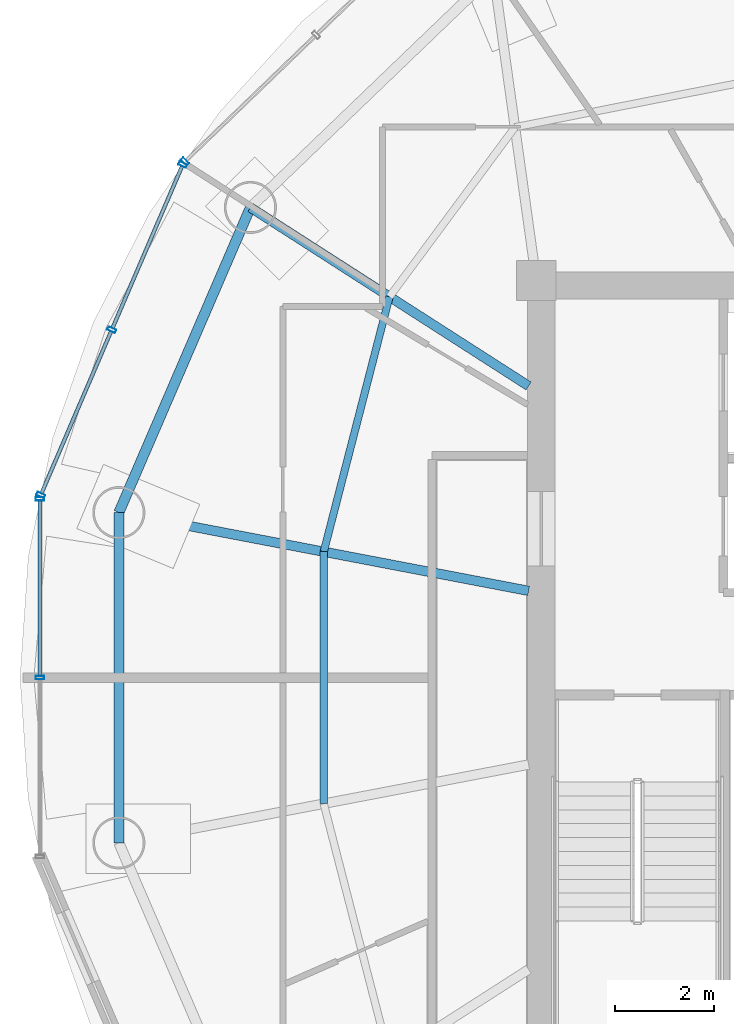
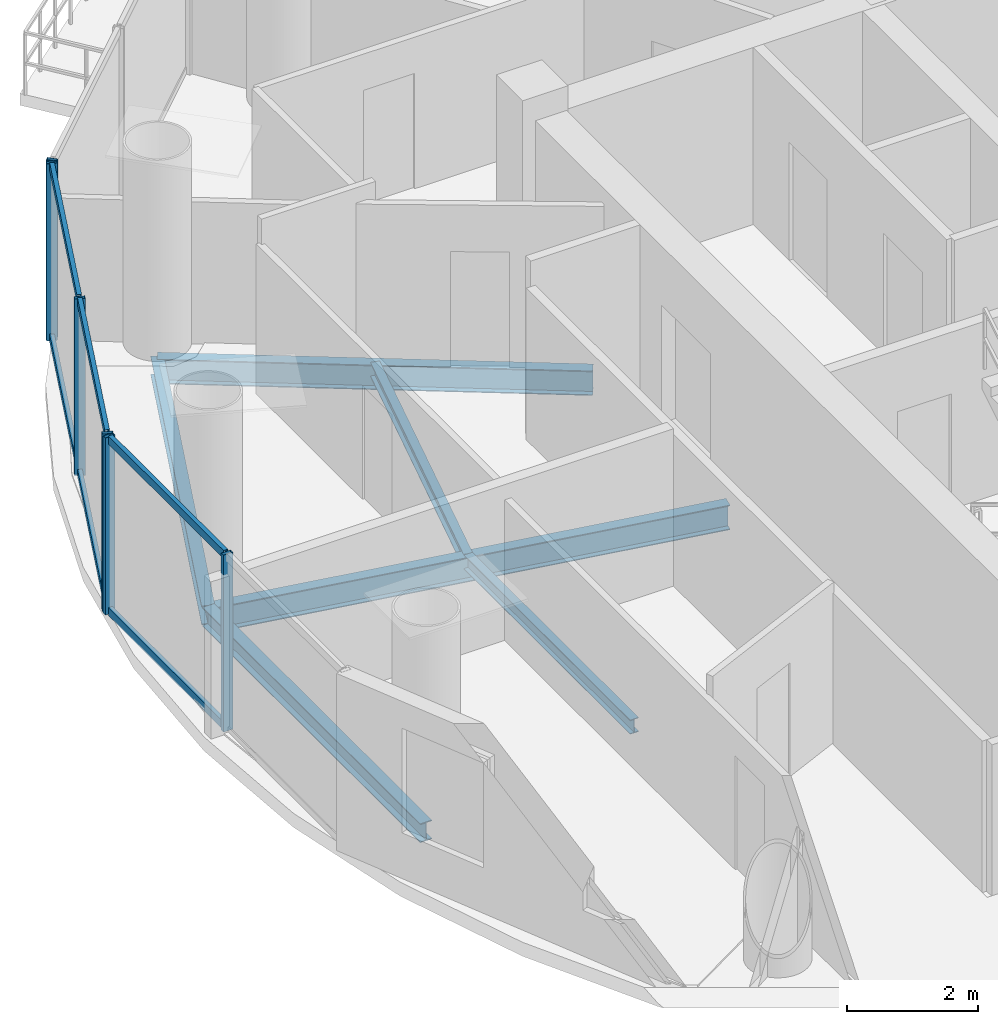
# One storey, part 8 of 23: 12 members, 6 beams, 3 elements without a shape of their own.
"""IFC4 building model written with IfcOpenShell, lengths in metres."""

from ifc_helpers import new_model, si_unit, direction, frame, origin, origin_2d, place, context, subcontext, project, spatial, hollow_rectangle, i_section, extrude, source, transform, mapped, material, material_profile, profile_set, type_object, element, aggregate, save


model = new_model("IFC4")

# Units and contexts
model_context = context("Model", 3, precision=1e-05, world=origin(), true_north=direction((-0.2419218956, 0.970295726276)))
body_context = subcontext(model_context, "Body", "Model", "MODEL_VIEW")
ifc_project = project(units=[si_unit("LENGTHUNIT", "METRE"), si_unit("AREAUNIT", "SQUARE_METRE"), si_unit("VOLUMEUNIT", "CUBIC_METRE"), si_unit("PLANEANGLEUNIT", "RADIAN"), si_unit("MASSUNIT", "GRAM", prefix="KILO")], contexts=[model_context])

# Site, building, storey
site_placement = place(None, origin())
site = spatial("IfcSite", under=ifc_project, at=site_placement, CompositionType="ELEMENT")
building_placement = place(site_placement, origin())
building = spatial("IfcBuilding", under=site, at=building_placement, Name="Cobrevalo Terracotta Tower", CompositionType="ELEMENT")
storey_placement = place(building_placement, frame((0.0, 0.0, 296.949951171875)))
storey = spatial("IfcBuildingStorey", under=building, at=storey_placement, Name="L78", CompositionType="ELEMENT", Elevation=296.949951171875)

# Beams
ifc_material_1 = material(Name="Steel S355", Category="steel")
ifc_material_profile_1 = material_profile(ifc_material_1, i_section(OverallWidth=0.19091796875, OverallDepth=0.4599609375, WebThickness=0.010009765625, FlangeThickness=0.01611328125, at=origin_2d()), Name="W 460x82")
ifc_profile_set_1 = profile_set([ifc_material_profile_1], Name="Steel S355")
beam_type_1 = type_object("IfcBeamType", Name="Structural Beam W 460x82 (Steel S355)", PredefinedType="BEAM", material=ifc_profile_set_1)
beam_1_placement = place(storey_placement, frame((23.241455078125, 36.2724609375, -0.489990234375), z_axis=(0.84157615512, -0.540138477739, 0.0), x_axis=(0.540138477739, 0.84157615512, 0.0)))
element("IfcBeam", 1, at=beam_1_placement, inside=storey, type_object=beam_type_1, Name="L78 radial floor girder 07", PredefinedType="BEAM", context=body_context, shape_type="SweptSolid", body=[
    extrude(i_section(OverallWidth=0.19091796875, OverallDepth=0.4599609375, WebThickness=0.010009765625, FlangeThickness=0.01611328125, at=origin_2d()), origin(), (0.0, 0.0, 1.0), 6.658447265625),
])
beam_2_placement = place(storey_placement, frame((20.591064453125, 30.126220703125, -0.489990234375), z_axis=(0.982234917636, -0.187655446433, 0.0), x_axis=(0.187655446433, 0.982234917636, 0.0)))
element("IfcBeam", 2, at=beam_2_placement, inside=storey, type_object=beam_type_1, Name="L78 radial floor girder 08", PredefinedType="BEAM", context=body_context, shape_type="SweptSolid", body=[
    extrude(i_section(OverallWidth=0.19091796875, OverallDepth=0.4599609375, WebThickness=0.010009765625, FlangeThickness=0.01611328125, at=origin_2d()), origin(), (0.0, 0.0, 1.0), 8.403076171875),
])
ifc_material_profile_2 = material_profile(ifc_material_1, i_section(OverallWidth=0.14794921875, OverallDepth=0.26611328125, WebThickness=0.007568359375, FlangeThickness=0.012939453125, at=origin_2d()), Name="W 250x44.8")
ifc_profile_set_2 = profile_set([ifc_material_profile_2], Name="Steel S355")
beam_type_2 = type_object("IfcBeamType", Name="Structural Joist W 250x44.8 (Steel S355)", PredefinedType="JOIST", material=ifc_profile_set_2)
beam_3_placement = place(storey_placement, frame((26.043212890625, 34.47412109375, -0.39306640625), z_axis=(-0.249816773293, -0.968293126993, 0.0), x_axis=(0.968293126993, -0.249816773293, 0.0)))
element("IfcBeam", 3, at=beam_3_placement, inside=storey, type_object=beam_type_2, Name="L78 circumferential secondary floor joist 07", PredefinedType="JOIST", context=body_context, shape_type="SweptSolid", body=[
    extrude(i_section(OverallWidth=0.14794921875, OverallDepth=0.26611328125, WebThickness=0.007568359375, FlangeThickness=0.012939453125, at=origin_2d()), origin(), (0.0, 0.0, 1.0), 5.3046875),
])
beam_4_placement = place(storey_placement, frame((24.718017578125, 29.337646484375, -0.39306640625), z_axis=(0.0, -1.0, 0.0), x_axis=(1.0, 0.0, 0.0)))
element("IfcBeam", 4, at=beam_4_placement, inside=storey, type_object=beam_type_2, Name="L78 circumferential secondary floor joist 08", PredefinedType="JOIST", context=body_context, shape_type="SweptSolid", body=[
    extrude(i_section(OverallWidth=0.14794921875, OverallDepth=0.26611328125, WebThickness=0.007568359375, FlangeThickness=0.012939453125, at=origin_2d()), origin(), (0.0, 0.0, 1.0), 5.075439453125),
])
ifc_material_profile_3 = material_profile(ifc_material_1, i_section(OverallWidth=0.205078125, OverallDepth=0.35400390625, WebThickness=0.009521484375, FlangeThickness=0.016845703125, at=origin_2d()), Name="W 360x79")
ifc_profile_set_3 = profile_set([ifc_material_profile_3], Name="Steel S355")
beam_type_3 = type_object("IfcBeamType", Name="Structural Spandrel W 360x79 (Steel S355)", PredefinedType="SPANDREL", material=ifc_profile_set_3)
beam_5_placement = place(storey_placement, frame((23.241455078125, 36.2724609375, -0.43701171875), z_axis=(-0.395974127655, -0.918261667624, 0.0), x_axis=(0.918261667624, -0.395974127655, 0.0)))
element("IfcBeam", 5, at=beam_5_placement, inside=storey, type_object=beam_type_3, Name="L78 perimeter ring spandrel 07", PredefinedType="SPANDREL", context=body_context, shape_type="SweptSolid", body=[
    extrude(i_section(OverallWidth=0.205078125, OverallDepth=0.35400390625, WebThickness=0.009521484375, FlangeThickness=0.016845703125, at=origin_2d()), origin(), (0.0, 0.0, 1.0), 6.693359375),
])
beam_6_placement = place(storey_placement, frame((20.591064453125, 30.126220703125, -0.43701171875), z_axis=(0.0, -1.0, 0.0), x_axis=(1.0, 0.0, 0.0)))
element("IfcBeam", 6, at=beam_6_placement, inside=storey, type_object=beam_type_3, Name="L78 perimeter ring spandrel 08", PredefinedType="SPANDREL", context=body_context, shape_type="SweptSolid", body=[
    extrude(i_section(OverallWidth=0.205078125, OverallDepth=0.35400390625, WebThickness=0.009521484375, FlangeThickness=0.016845703125, at=origin_2d()), origin(), (0.0, 0.0, 1.0), 6.652587890625),
])

# Curtain wall, members
ifc_material_2 = material(Name="Anodized aluminium", Category="aluminium")
curtain_wall_type = type_object("IfcCurtainWallType", Name="Upper-tower triple-glazed penthouse curtain wall CW-U3", PredefinedType="NOTDEFINED", material=ifc_material_2)
curtain_wall_1_placement = place(storey_placement, origin())
curtain_wall_1 = element("IfcCurtainWall", 7, at=curtain_wall_1_placement, inside=storey, type_object=curtain_wall_type, Name="L78 curtain wall CW-L78-S07", PredefinedType="NOTDEFINED")
ifc_material_profile_4 = material_profile(ifc_material_2, hollow_rectangle(XDim=0.074951171875, YDim=0.14990234375, WallThickness=0.00439453125, at=origin_2d()), Name="CWT 75x150")
ifc_profile_set_4 = profile_set([ifc_material_profile_4], Name="Anodized aluminium")
member_type_1 = type_object("IfcMemberType", Name="Tower unitised aluminium transom 75x150", PredefinedType="USERDEFINED", material=ifc_profile_set_4)
shared_shape_1 = source(origin(), body_context, "Body", "SweptSolid", [
    extrude(hollow_rectangle(XDim=0.074951171875, YDim=0.14990234375, WallThickness=0.00439453125, at=origin_2d()), origin(), (0.0, 0.0, 1.0), 3.54248046875),
])
member_1_placement = place(storey_placement, frame((21.86279296875, 37.098876953125, 0.050048828125), z_axis=(-0.394834055841, -0.918752452159, 0.0), x_axis=(0.918752452159, -0.394834055841, 0.0)))
member_1 = element("IfcMember", 8, at=member_1_placement, type_object=member_type_1, Name="CW-L78-S07 transom B01-T1", ObjectType="TRANSOM", PredefinedType="USERDEFINED", context=body_context, shape_type="MappedRepresentation", body=[
    mapped(shared_shape_1, transform((0.0, 0.0, 0.0), scale=1.0)),
])
member_2_placement = place(storey_placement, frame((21.86279296875, 37.098876953125, 3.25), z_axis=(-0.394834055841, -0.918752452159, 0.0), x_axis=(0.918752452159, -0.394834055841, 0.0)))
member_2 = element("IfcMember", 9, at=member_2_placement, type_object=member_type_1, Name="CW-L78-S07 transom B01-T2", ObjectType="TRANSOM", PredefinedType="USERDEFINED", context=body_context, shape_type="MappedRepresentation", body=[
    mapped(shared_shape_1, transform((0.0, 0.0, 0.0), scale=1.0)),
])
shared_shape_2 = source(origin(), body_context, "Body", "SweptSolid", [
    extrude(hollow_rectangle(XDim=0.074951171875, YDim=0.14990234375, WallThickness=0.00439453125, at=origin_2d()), origin(), (0.0, 0.0, 1.0), 3.542724609375),
])
member_3_placement = place(storey_placement, frame((20.4326171875, 33.770751953125, 0.050048828125), z_axis=(-0.394867226589, -0.918738196314, 0.0), x_axis=(0.918738196314, -0.394867226589, 0.0)))
member_3 = element("IfcMember", 10, at=member_3_placement, type_object=member_type_1, Name="CW-L78-S07 transom B02-T1", ObjectType="TRANSOM", PredefinedType="USERDEFINED", context=body_context, shape_type="MappedRepresentation", body=[
    mapped(shared_shape_2, transform((0.0, 0.0, 0.0), scale=1.0)),
])
member_4_placement = place(storey_placement, frame((20.4326171875, 33.770751953125, 3.25), z_axis=(-0.394867226589, -0.918738196314, 0.0), x_axis=(0.918738196314, -0.394867226589, 0.0)))
member_4 = element("IfcMember", 11, at=member_4_placement, type_object=member_type_1, Name="CW-L78-S07 transom B02-T2", ObjectType="TRANSOM", PredefinedType="USERDEFINED", context=body_context, shape_type="MappedRepresentation", body=[
    mapped(shared_shape_2, transform((0.0, 0.0, 0.0), scale=1.0)),
])

curtain_wall_2_placement = place(storey_placement, origin())
curtain_wall_2 = element("IfcCurtainWall", 12, at=curtain_wall_2_placement, inside=storey, type_object=curtain_wall_type, Name="L78 curtain wall CW-L78-S08", PredefinedType="NOTDEFINED")
shared_shape_3 = source(origin(), body_context, "Body", "SweptSolid", [
    extrude(hollow_rectangle(XDim=0.074951171875, YDim=0.14990234375, WallThickness=0.00439453125, at=origin_2d()), origin(), (0.0, 0.0, 1.0), 3.522216796875),
])
member_5_placement = place(storey_placement, frame((19.002197265625, 30.3623046875, 0.050048828125), z_axis=(0.0, -1.0, 0.0), x_axis=(1.0, 0.0, 0.0)))
member_5 = element("IfcMember", 13, at=member_5_placement, type_object=member_type_1, Name="CW-L78-S08 transom B01-T1", ObjectType="TRANSOM", PredefinedType="USERDEFINED", context=body_context, shape_type="MappedRepresentation", body=[
    mapped(shared_shape_3, transform((0.0, 0.0, 0.0), scale=1.0)),
])
member_6_placement = place(storey_placement, frame((19.002197265625, 30.3623046875, 3.25), z_axis=(0.0, -1.0, 0.0), x_axis=(1.0, 0.0, 0.0)))
member_6 = element("IfcMember", 14, at=member_6_placement, type_object=member_type_1, Name="CW-L78-S08 transom B01-T2", ObjectType="TRANSOM", PredefinedType="USERDEFINED", context=body_context, shape_type="MappedRepresentation", body=[
    mapped(shared_shape_3, transform((0.0, 0.0, 0.0), scale=1.0)),
])

# Curtain wall, member
curtain_wall_3_placement = place(storey_placement, origin())
curtain_wall_3 = element("IfcCurtainWall", 15, at=curtain_wall_3_placement, inside=storey, type_object=curtain_wall_type, Name="L78 curtain wall CW-L78-S06", PredefinedType="NOTDEFINED")
ifc_material_profile_5 = material_profile(ifc_material_2, hollow_rectangle(XDim=0.070068359375, YDim=0.169921875, WallThickness=0.00439453125, at=origin_2d()), Name="CWM 70x170")
ifc_profile_set_5 = profile_set([ifc_material_profile_5], Name="Anodized aluminium")
member_type_2 = type_object("IfcMemberType", Name="Upper tower unitised mullion 70x170", PredefinedType="MULLION", material=ifc_profile_set_5)
shared_shape_4 = source(origin(), body_context, "Body", "SweptSolid", [
    extrude(hollow_rectangle(XDim=0.070068359375, YDim=0.169921875, WallThickness=0.00439453125, at=origin_2d()), origin(), (0.0, 0.0, 1.0), 3.300048828125),
])
member_7_placement = place(storey_placement, frame((21.92333984375, 37.2001953125, 0.0), z_axis=(0.0, 0.0, 1.0), x_axis=(-0.71999418085, -0.69398010025, 0.0)))
member_7 = element("IfcMember", 16, at=member_7_placement, type_object=member_type_2, Name="CW-L78-S06 vertical mullion 03", PredefinedType="MULLION", context=body_context, shape_type="MappedRepresentation", body=[
    mapped(shared_shape_4, transform((0.0, 0.0, 0.0), scale=1.0)),
])
aggregate(curtain_wall_3, [member_7])

# Member
member_8_placement = place(storey_placement, frame((21.878662109375, 37.1357421875, 0.0), z_axis=(0.0, 0.0, 1.0), x_axis=(-0.39482403454, -0.91875675875, 0.0)))
member_8 = element("IfcMember", 17, at=member_8_placement, type_object=member_type_2, Name="CW-L78-S07 vertical mullion 01", PredefinedType="MULLION", context=body_context, shape_type="MappedRepresentation", body=[
    mapped(shared_shape_4, transform((0.0, 0.0, 0.0), scale=1.0)),
])

member_9_placement = place(storey_placement, frame((20.4482421875, 33.807373046875, 0.0), z_axis=(0.0, 0.0, 1.0), x_axis=(-0.39482403454, -0.91875675875, 0.0)))
member_9 = element("IfcMember", 18, at=member_9_placement, type_object=member_type_2, Name="CW-L78-S07 vertical mullion 02", PredefinedType="MULLION", context=body_context, shape_type="MappedRepresentation", body=[
    mapped(shared_shape_4, transform((0.0, 0.0, 0.0), scale=1.0)),
])

member_10_placement = place(storey_placement, frame((19.01806640625, 30.47900390625, 0.0), z_axis=(0.0, 0.0, 1.0), x_axis=(-0.39482403454, -0.91875675875, 0.0)))
member_10 = element("IfcMember", 19, at=member_10_placement, type_object=member_type_2, Name="CW-L78-S07 vertical mullion 03", PredefinedType="MULLION", context=body_context, shape_type="MappedRepresentation", body=[
    mapped(shared_shape_4, transform((0.0, 0.0, 0.0), scale=1.0)),
])

aggregate(curtain_wall_1, [member_8, member_9, member_10, member_1, member_2, member_3, member_4])

member_11_placement = place(storey_placement, frame((19.002197265625, 30.40234375, 0.0), z_axis=(0.0, 0.0, 1.0), x_axis=(0.0, -1.0, 0.0)))
member_11 = element("IfcMember", 20, at=member_11_placement, type_object=member_type_2, Name="CW-L78-S08 vertical mullion 01", PredefinedType="MULLION", context=body_context, shape_type="MappedRepresentation", body=[
    mapped(shared_shape_4, transform((0.0, 0.0, 0.0), scale=1.0)),
])

member_12_placement = place(storey_placement, frame((19.002197265625, 26.800048828125, 0.0), z_axis=(0.0, 0.0, 1.0), x_axis=(0.0, -1.0, 0.0)))
member_12 = element("IfcMember", 21, at=member_12_placement, type_object=member_type_2, Name="CW-L78-S08 vertical mullion 02", PredefinedType="MULLION", context=body_context, shape_type="MappedRepresentation", body=[
    mapped(shared_shape_4, transform((0.0, 0.0, 0.0), scale=1.0)),
])

aggregate(curtain_wall_2, [member_11, member_12, member_5, member_6])

save(model, "model.ifc")
